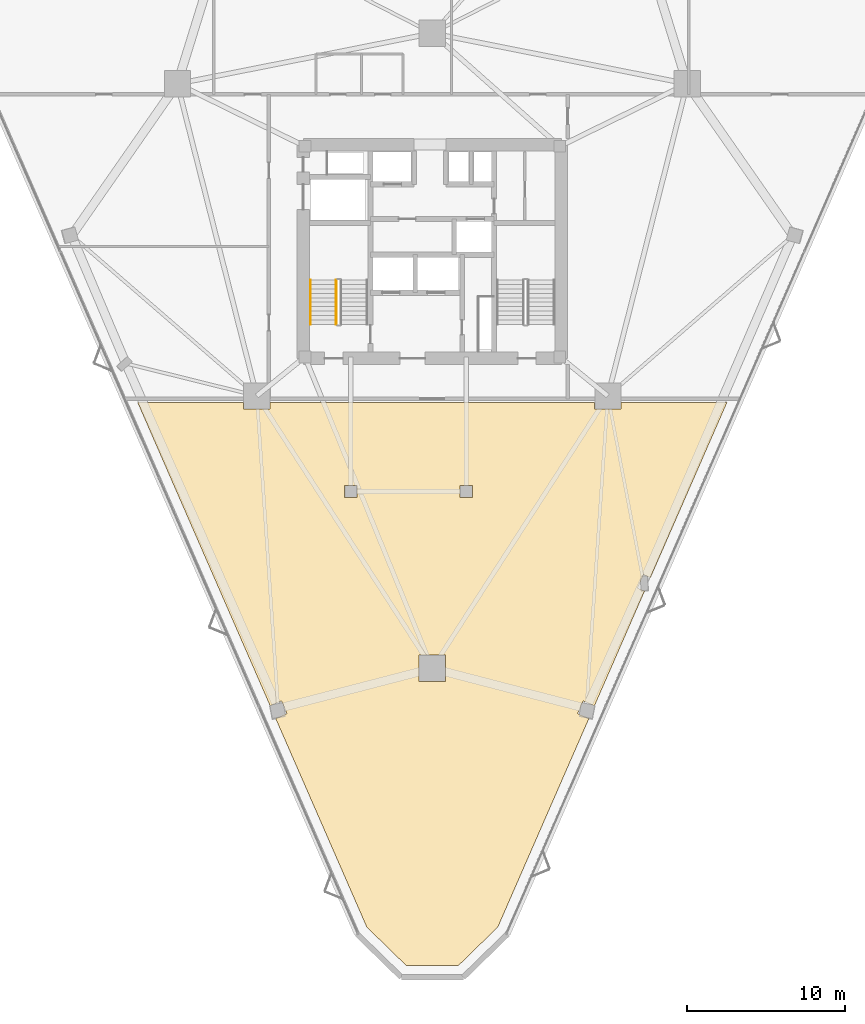
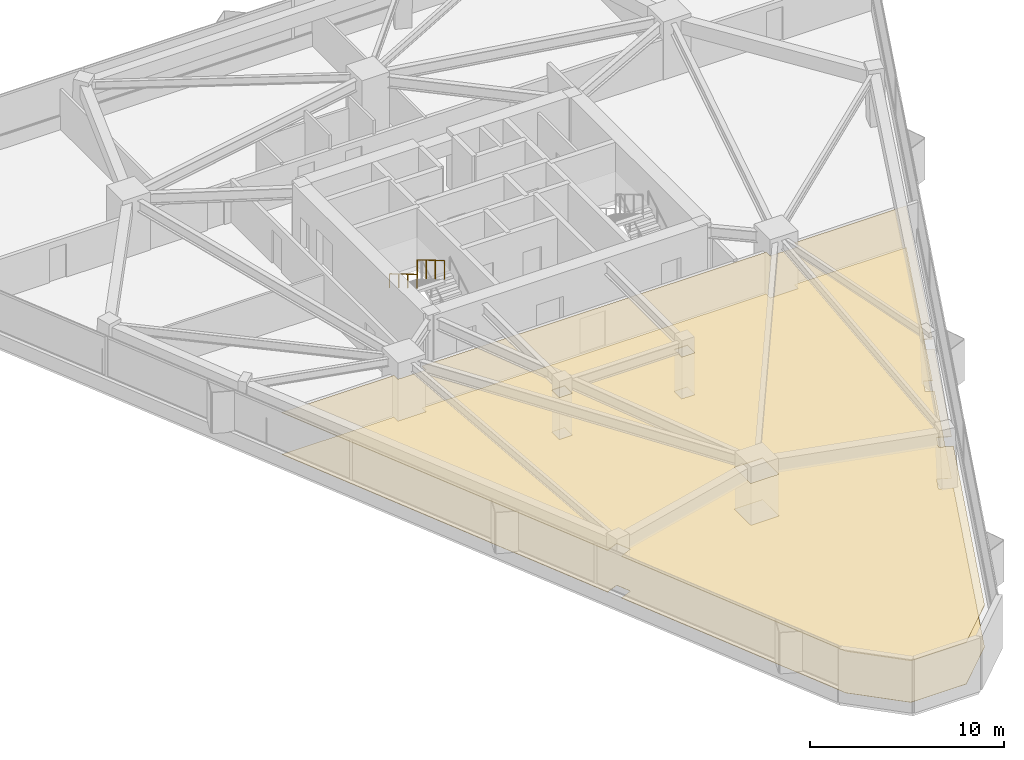
# One storey, part 14 of 15: 2 coverings, 2 railings.
"""IFC4 building model written with IfcOpenShell, lengths in metres."""

from ifc_helpers import new_model, si_unit, direction, frame, origin, origin_2d, place, context, subcontext, project, spatial, polyline, rectangle, outline, extrude, material, layer, layer_set, type_object, element, save


model = new_model("IFC4")

# Units and contexts
model_context = context("Model", 3, precision=1e-05, world=origin(), true_north=direction((0.0, 1.0)))
body_context = subcontext(model_context, "Body", "Model", "MODEL_VIEW")
ifc_project = project(units=[si_unit("LENGTHUNIT", "METRE"), si_unit("AREAUNIT", "SQUARE_METRE"), si_unit("VOLUMEUNIT", "CUBIC_METRE"), si_unit("PLANEANGLEUNIT", "RADIAN"), si_unit("MASSUNIT", "GRAM", prefix="KILO")], contexts=[model_context])

# Site, building, storey
site_placement = place(None, origin())
site = spatial("IfcSite", under=ifc_project, at=site_placement, CompositionType="ELEMENT")
building_placement = place(site_placement, origin())
building = spatial("IfcBuilding", under=site, at=building_placement, Name="Talyreon Biosciences Tower", CompositionType="ELEMENT")
storey_placement = place(building_placement, frame((0.0, 0.0, 111.5)))
storey = spatial("IfcBuildingStorey", under=building, at=storey_placement, Name="L29", CompositionType="ELEMENT", Elevation=111.5)

# Coverings
ifc_material_1 = material(Name="Cleanable acoustic mineral-fibre ceiling tile", Category="gypsum")
ifc_layer_1 = layer(ifc_material_1, 0.0400390625)
ifc_layer_set_1 = layer_set([ifc_layer_1], Name="Cleanable acoustic mineral-fibre ceiling tile")
covering_type_1 = type_object("IfcCoveringType", Name="AcousticCleanroomCeiling_40", PredefinedType="CEILING", material=ifc_layer_set_1)
covering_1_placement = place(storey_placement, frame((0.0, 0.0, 2.614990234375)))
element("IfcCovering", 1, at=covering_1_placement, inside=storey, type_object=covering_type_1, Name="L29 Acoustic Laboratory Ceiling", PredefinedType="CEILING", context=body_context, shape_type="SweptSolid", body=[
    extrude(outline(polyline([(54.07373046875, 58.449951171875), (54.07373046875, 58.040283203125), (55.75390625, 58.040283203125), (55.75390625, 58.449951171875), (76.24609375, 58.449951171875), (76.24609375, 58.040283203125), (77.92626953125, 58.040283203125), (77.92626953125, 58.449951171875), (84.6025390625, 58.449951171875), (79.77783203125, 47.40283203125), (79.338623046875, 47.594482421875), (78.96630859375, 46.7421875), (79.40576171875, 46.550537109375), (76.242431640625, 39.3076171875), (75.5283203125, 39.61962890625), (75.17578125, 38.813232421875), (75.890380859375, 38.501220703125), (70.13671875, 25.3271484375), (67.654296875, 22.906982421875), (64.345703125, 22.906982421875), (61.86328125, 25.3271484375), (56.109619140625, 38.501220703125), (56.823974609375, 38.813232421875), (56.4716796875, 39.61962890625), (55.757568359375, 39.3076171875), (47.3974609375, 58.449951171875), (54.07373046875, 58.449951171875)]), holes=[polyline([(66.840087890625, 40.826904296875), (66.840087890625, 42.5068359375), (65.159912109375, 42.5068359375), (65.159912109375, 40.826904296875), (66.840087890625, 40.826904296875)]), polyline([(61.239990234375, 52.449951171875), (61.239990234375, 53.22998046875), (60.4599609375, 53.22998046875), (60.4599609375, 52.449951171875), (61.239990234375, 52.449951171875)]), polyline([(67.760009765625, 52.449951171875), (68.5400390625, 52.449951171875), (68.5400390625, 53.22998046875), (67.760009765625, 53.22998046875), (67.760009765625, 52.449951171875)])]), origin(), (0.0, 0.0, 1.0), 0.0400390625),
])
ifc_material_2 = material(Name="Chemical-resistant seamless epoxy resin flooring", Category="plastic")
ifc_layer_2 = layer(ifc_material_2, 0.014892578125)
ifc_layer_set_2 = layer_set([ifc_layer_2], Name="Chemical-resistant seamless epoxy resin flooring")
covering_type_2 = type_object("IfcCoveringType", Name="SeamlessEpoxyLabFlooring_15", PredefinedType="FLOORING", material=ifc_layer_set_2)
covering_2_placement = place(storey_placement, origin())
element("IfcCovering", 2, at=covering_2_placement, inside=storey, type_object=covering_type_2, Name="L29 Laboratory Floor Finish", PredefinedType="FLOORING", context=body_context, shape_type="SweptSolid", body=[
    extrude(outline(polyline([(54.07373046875, 58.449951171875), (54.07373046875, 58.040283203125), (55.75390625, 58.040283203125), (55.75390625, 58.449951171875), (76.24609375, 58.449951171875), (76.24609375, 58.040283203125), (77.92626953125, 58.040283203125), (77.92626953125, 58.449951171875), (84.6025390625, 58.449951171875), (79.77783203125, 47.40283203125), (79.338623046875, 47.594482421875), (78.96630859375, 46.7421875), (79.40576171875, 46.550537109375), (76.242431640625, 39.3076171875), (75.5283203125, 39.61962890625), (75.17578125, 38.813232421875), (75.890380859375, 38.501220703125), (70.13671875, 25.3271484375), (67.654296875, 22.906982421875), (64.345703125, 22.906982421875), (61.86328125, 25.3271484375), (56.109619140625, 38.501220703125), (56.823974609375, 38.813232421875), (56.4716796875, 39.61962890625), (55.757568359375, 39.3076171875), (47.3974609375, 58.449951171875), (54.07373046875, 58.449951171875)]), holes=[polyline([(66.840087890625, 40.826904296875), (66.840087890625, 42.5068359375), (65.159912109375, 42.5068359375), (65.159912109375, 40.826904296875), (66.840087890625, 40.826904296875)]), polyline([(61.239990234375, 52.449951171875), (61.239990234375, 53.22998046875), (60.4599609375, 53.22998046875), (60.4599609375, 52.449951171875), (61.239990234375, 52.449951171875)]), polyline([(67.760009765625, 52.449951171875), (68.5400390625, 52.449951171875), (68.5400390625, 53.22998046875), (67.760009765625, 53.22998046875), (67.760009765625, 52.449951171875)])]), origin(), (0.0, 0.0, 1.0), 0.014892578125),
])

# Railings
ifc_material_3 = material(Name="Brushed stainless-steel tubular handrail", Category="steel")
railing_type_1 = type_object("IfcRailingType", Name="StairWallHandrail_900", PredefinedType="HANDRAIL", material=ifc_material_3)
railing_1_placement = place(storey_placement, frame((58.300048828125, 66.199951171875, 1.990966796875)))
element("IfcRailing", 3, at=railing_1_placement, inside=storey, type_object=railing_type_1, Name="L29 ST-1 stair handrail 2", PredefinedType="HANDRAIL", context=body_context, shape_type="SweptSolid", body=[
    extrude(rectangle(XDim=0.048095703125, YDim=0.048095703125, at=origin_2d()), frame((0.0, 0.0, 0.8759765625), z_axis=(0.0, -0.860339051648, 0.50972219513), x_axis=(1.0, 0.0, 0.0)), (0.0, 0.0, 1.0), 3.254638671875),
    extrude(rectangle(XDim=0.0419921875, YDim=0.0419921875, at=origin_2d()), origin(), (0.0, 0.0, 1.0), 0.851806640625),
    extrude(rectangle(XDim=0.0419921875, YDim=0.0419921875, at=origin_2d()), frame((0.0, -0.933349609375, 0.552978515625)), (0.0, 0.0, 1.0), 0.851806640625),
    extrude(rectangle(XDim=0.0419921875, YDim=0.0419921875, at=origin_2d()), frame((0.0, -1.86669921875, 1.10595703125)), (0.0, 0.0, 1.0), 0.851806640625),
    extrude(rectangle(XDim=0.0419921875, YDim=0.0419921875, at=origin_2d()), frame((0.0, -2.800048828125, 1.658935546875)), (0.0, 0.0, 1.0), 0.851806640625),
])
ifc_material_4 = material(Name="Painted galvanised steel post-and-rail balustrade", Category="steel")
railing_type_2 = type_object("IfcRailingType", Name="TerraceStairGuard_1200", PredefinedType="GUARDRAIL", material=ifc_material_4)
railing_2_placement = place(storey_placement, frame((59.93994140625, 66.199951171875, 1.990966796875)))
element("IfcRailing", 4, at=railing_2_placement, inside=storey, type_object=railing_type_2, Name="L29 ST-1 stair guard 3", PredefinedType="GUARDRAIL", context=body_context, shape_type="SweptSolid", body=[
    extrude(rectangle(XDim=0.048095703125, YDim=0.048095703125, at=origin_2d()), frame((0.0, 0.0, 1.17578125), z_axis=(0.0, -0.860339051648, 0.50972219513), x_axis=(1.0, 0.0, 0.0)), (0.0, 0.0, 1.0), 3.254638671875),
    extrude(rectangle(XDim=0.0419921875, YDim=0.0419921875, at=origin_2d()), origin(), (0.0, 0.0, 1.0), 1.15185546875),
    extrude(rectangle(XDim=0.0419921875, YDim=0.0419921875, at=origin_2d()), frame((0.0, -0.933349609375, 0.552978515625)), (0.0, 0.0, 1.0), 1.15185546875),
    extrude(rectangle(XDim=0.0419921875, YDim=0.0419921875, at=origin_2d()), frame((0.0, -1.86669921875, 1.10595703125)), (0.0, 0.0, 1.0), 1.15185546875),
    extrude(rectangle(XDim=0.0419921875, YDim=0.0419921875, at=origin_2d()), frame((0.0, -2.800048828125, 1.658935546875)), (0.0, 0.0, 1.0), 1.15185546875),
])

save(model, "model.ifc")
